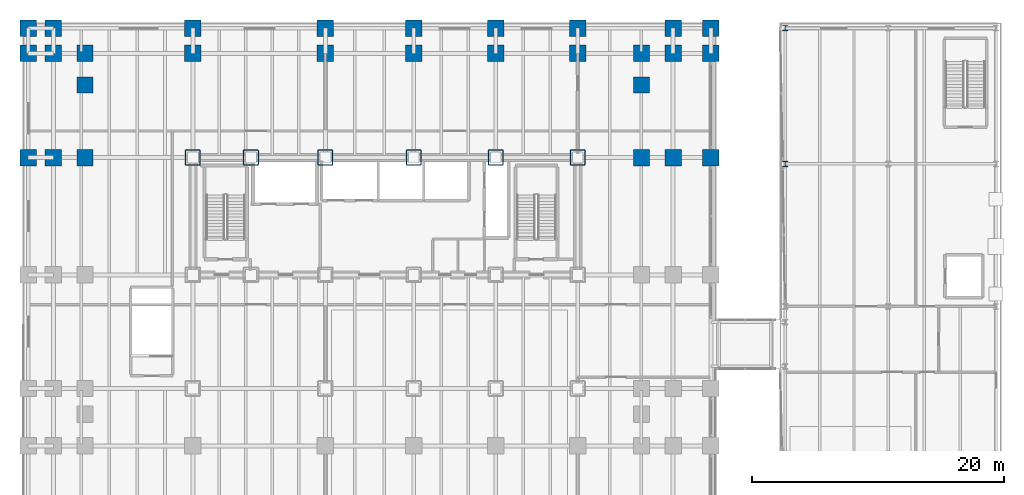
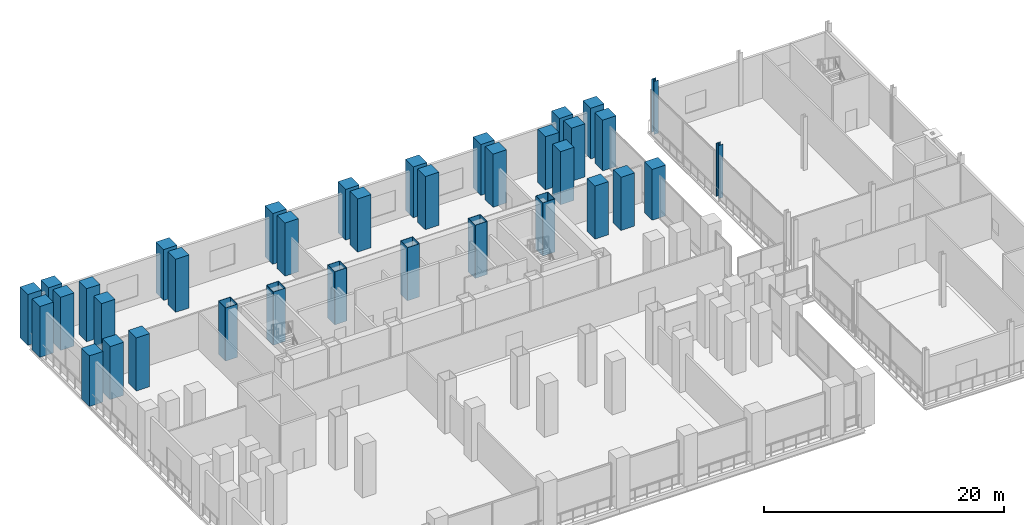
# One storey, part 2 of 30: 36 columns.
"""IFC4 building model written with IfcOpenShell, lengths in metres."""

from ifc_helpers import new_model, si_unit, direction, frame, origin, origin_2d, place, context, subcontext, project, spatial, rectangle, hollow_rectangle, i_section, extrude, material, material_profile, profile_set, type_object, element, save


model = new_model("IFC4")

# Units and contexts
model_context = context("Model", 3, precision=1e-05, world=origin(), true_north=direction((0.0, 1.0)))
body_context = subcontext(model_context, "Body", "Model", "MODEL_VIEW")
ifc_project = project(units=[si_unit("LENGTHUNIT", "METRE"), si_unit("AREAUNIT", "SQUARE_METRE"), si_unit("VOLUMEUNIT", "CUBIC_METRE"), si_unit("PLANEANGLEUNIT", "RADIAN"), si_unit("MASSUNIT", "GRAM", prefix="KILO")], contexts=[model_context])

# Site, building, storey
site_placement = place(None, origin())
site = spatial("IfcSite", under=ifc_project, at=site_placement, CompositionType="ELEMENT")
building_placement = place(site_placement, origin())
building = spatial("IfcBuilding", under=site, at=building_placement, Name="Noeulbin Bourse Tower", CompositionType="ELEMENT")
storey_placement = place(building_placement, frame((0.0, 0.0, 16.60009765625)))
storey = spatial("IfcBuildingStorey", under=building, at=storey_placement, Name="L04", CompositionType="ELEMENT", Elevation=16.60009765625)

# Columns
ifc_material_1 = material(Name="Steel S355", Category="steel")
ifc_material_profile_1 = material_profile(ifc_material_1, i_section(OverallWidth=0.406982421875, OverallDepth=0.427978515625, WebThickness=0.02001953125, FlangeThickness=0.034912109375, FilletRadius=0.02197265625, at=origin_2d()), Name="H-428x407x20x35", Category="LoadBearing")
ifc_profile_set_1 = profile_set([ifc_material_profile_1], Name="Steel S355")
column_type_1 = type_object("IfcColumnType", Name="COL-MKT-ST", PredefinedType="COLUMN", material=ifc_profile_set_1)
for number, where, z_axis, x_axis, name in (
    (1, (60.449951171875, 37.800048828125, 0.0), (0.0, 0.0, 1.0), (1.0, 0.0, 0.0), "Market Hall Column COL-MKT-ST 06"),
    (2, (60.449951171875, 48.550048828125, 0.0), (0.0, 0.0, 1.0), (1.0, 0.0, 0.0), "Market Hall Column COL-MKT-ST 07"),
):
    element("IfcColumn", number, at=place(storey_placement, frame(where, z_axis=z_axis, x_axis=x_axis)), inside=storey, type_object=column_type_1, Name=name, PredefinedType="COLUMN", context=body_context, shape_type="SweptSolid", body=[
        extrude(i_section(OverallWidth=0.406982421875, OverallDepth=0.427978515625, WebThickness=0.02001953125, FlangeThickness=0.034912109375, FilletRadius=0.02197265625, at=origin_2d()), origin(), (0.0, 0.0, 1.0), 5.39990234375),
    ])
ifc_material_2 = material(Name="Concrete C60/75", Category="concrete")
ifc_material_profile_2 = material_profile(ifc_material_2, rectangle(XDim=1.300048828125, YDim=1.300048828125, at=origin_2d()), Name="RC-COL-1300x1300", Category="LoadBearing")
ifc_profile_set_2 = profile_set([ifc_material_profile_2], Name="Concrete C60/75")
column_type_2 = type_object("IfcColumnType", Name="COL-POD-RC", PredefinedType="COLUMN", material=ifc_profile_set_2)
for number, where, z_axis, x_axis, name in (
    (3, (0.449951171875, 38.300048828125, 0.0), (0.0, 0.0, 1.0), (1.0, 0.0, 0.0), "Podium Column COL-POD-RC 05"),
    (4, (0.449951171875, 46.550048828125, 0.0), (0.0, 0.0, 1.0), (1.0, 0.0, 0.0), "Podium Column COL-POD-RC 06"),
    (5, (0.449951171875, 48.550048828125, 0.0), (0.0, 0.0, 1.0), (1.0, 0.0, 0.0), "Podium Column COL-POD-RC 07"),
):
    element("IfcColumn", number, at=place(storey_placement, frame(where, z_axis=z_axis, x_axis=x_axis)), inside=storey, type_object=column_type_2, Name=name, PredefinedType="COLUMN", context=body_context, shape_type="SweptSolid", body=[
        extrude(rectangle(XDim=1.300048828125, YDim=1.300048828125, at=origin_2d()), origin(), (0.0, 0.0, 1.0), 5.159912109375),
    ])
for number, where, z_axis, x_axis, name in (
    (6, (2.449951171875, 38.300048828125, 0.0), (0.0, 0.0, 1.0), (1.0, 0.0, 0.0), "Podium Column COL-POD-RC 12"),
    (7, (2.449951171875, 46.550048828125, 0.0), (0.0, 0.0, 1.0), (1.0, 0.0, 0.0), "Podium Column COL-POD-RC 13"),
):
    element("IfcColumn", number, at=place(storey_placement, frame(where, z_axis=z_axis, x_axis=x_axis)), inside=storey, type_object=column_type_2, Name=name, PredefinedType="COLUMN", context=body_context, shape_type="SweptSolid", body=[
        extrude(rectangle(XDim=1.300048828125, YDim=1.300048828125, at=origin_2d()), origin(), (0.0, 0.0, 1.0), 5.39990234375),
    ])
column_1_placement = place(storey_placement, frame((2.449951171875, 48.550048828125, 0.0), z_axis=(0.0, 0.0, 1.0), x_axis=(1.0, 0.0, 0.0)))
element("IfcColumn", 8, at=column_1_placement, inside=storey, type_object=column_type_2, Name="Podium Column COL-POD-RC 14", PredefinedType="COLUMN", context=body_context, shape_type="SweptSolid", body=[
    extrude(rectangle(XDim=1.300048828125, YDim=1.300048828125, at=origin_2d()), origin(), (0.0, 0.0, 1.0), 5.159912109375),
])
for number, where, z_axis, x_axis, name in (
    (9, (4.949951171875, 38.300048828125, 0.0), (0.0, 0.0, 1.0), (1.0, 0.0, 0.0), "Podium Column COL-POD-RC 19"),
    (10, (4.949951171875, 44.050048828125, 0.0), (0.0, 0.0, 1.0), (1.0, 0.0, 0.0), "Podium Column COL-POD-RC 20"),
    (11, (4.949951171875, 46.550048828125, 0.0), (0.0, 0.0, 1.0), (1.0, 0.0, 0.0), "Podium Column COL-POD-RC 21"),
    (12, (13.5, 46.550048828125, 0.0), (0.0, 0.0, 1.0), (1.0, 0.0, 0.0), "Podium Column COL-POD-RC 24"),
):
    element("IfcColumn", number, at=place(storey_placement, frame(where, z_axis=z_axis, x_axis=x_axis)), inside=storey, type_object=column_type_2, Name=name, PredefinedType="COLUMN", context=body_context, shape_type="SweptSolid", body=[
        extrude(rectangle(XDim=1.300048828125, YDim=1.300048828125, at=origin_2d()), origin(), (0.0, 0.0, 1.0), 5.39990234375),
    ])
column_2_placement = place(storey_placement, frame((13.5, 48.550048828125, 0.0), z_axis=(0.0, 0.0, 1.0), x_axis=(1.0, 0.0, 0.0)))
element("IfcColumn", 13, at=column_2_placement, inside=storey, type_object=column_type_2, Name="Podium Column COL-POD-RC 25", PredefinedType="COLUMN", context=body_context, shape_type="SweptSolid", body=[
    extrude(rectangle(XDim=1.300048828125, YDim=1.300048828125, at=origin_2d()), origin(), (0.0, 0.0, 1.0), 5.159912109375),
])
column_3_placement = place(storey_placement, frame((24.0, 46.550048828125, 0.0), z_axis=(0.0, 0.0, 1.0), x_axis=(1.0, 0.0, 0.0)))
element("IfcColumn", 14, at=column_3_placement, inside=storey, type_object=column_type_2, Name="Podium Column COL-POD-RC 28", PredefinedType="COLUMN", context=body_context, shape_type="SweptSolid", body=[
    extrude(rectangle(XDim=1.300048828125, YDim=1.300048828125, at=origin_2d()), origin(), (0.0, 0.0, 1.0), 5.39990234375),
])
column_4_placement = place(storey_placement, frame((24.0, 48.550048828125, 0.0), z_axis=(0.0, 0.0, 1.0), x_axis=(1.0, 0.0, 0.0)))
element("IfcColumn", 15, at=column_4_placement, inside=storey, type_object=column_type_2, Name="Podium Column COL-POD-RC 29", PredefinedType="COLUMN", context=body_context, shape_type="SweptSolid", body=[
    extrude(rectangle(XDim=1.300048828125, YDim=1.300048828125, at=origin_2d()), origin(), (0.0, 0.0, 1.0), 5.159912109375),
])
column_5_placement = place(storey_placement, frame((31.0, 46.550048828125, 0.0), z_axis=(0.0, 0.0, 1.0), x_axis=(1.0, 0.0, 0.0)))
element("IfcColumn", 16, at=column_5_placement, inside=storey, type_object=column_type_2, Name="Podium Column COL-POD-RC 32", PredefinedType="COLUMN", context=body_context, shape_type="SweptSolid", body=[
    extrude(rectangle(XDim=1.300048828125, YDim=1.300048828125, at=origin_2d()), origin(), (0.0, 0.0, 1.0), 5.39990234375),
])
column_6_placement = place(storey_placement, frame((31.0, 48.550048828125, 0.0), z_axis=(0.0, 0.0, 1.0), x_axis=(1.0, 0.0, 0.0)))
element("IfcColumn", 17, at=column_6_placement, inside=storey, type_object=column_type_2, Name="Podium Column COL-POD-RC 33", PredefinedType="COLUMN", context=body_context, shape_type="SweptSolid", body=[
    extrude(rectangle(XDim=1.300048828125, YDim=1.300048828125, at=origin_2d()), origin(), (0.0, 0.0, 1.0), 5.159912109375),
])
column_7_placement = place(storey_placement, frame((37.5, 46.550048828125, 0.0), z_axis=(0.0, 0.0, 1.0), x_axis=(1.0, 0.0, 0.0)))
element("IfcColumn", 18, at=column_7_placement, inside=storey, type_object=column_type_2, Name="Podium Column COL-POD-RC 36", PredefinedType="COLUMN", context=body_context, shape_type="SweptSolid", body=[
    extrude(rectangle(XDim=1.300048828125, YDim=1.300048828125, at=origin_2d()), origin(), (0.0, 0.0, 1.0), 5.39990234375),
])
column_8_placement = place(storey_placement, frame((37.5, 48.550048828125, 0.0), z_axis=(0.0, 0.0, 1.0), x_axis=(1.0, 0.0, 0.0)))
element("IfcColumn", 19, at=column_8_placement, inside=storey, type_object=column_type_2, Name="Podium Column COL-POD-RC 37", PredefinedType="COLUMN", context=body_context, shape_type="SweptSolid", body=[
    extrude(rectangle(XDim=1.300048828125, YDim=1.300048828125, at=origin_2d()), origin(), (0.0, 0.0, 1.0), 5.159912109375),
])
column_9_placement = place(storey_placement, frame((44.0, 46.550048828125, 0.0), z_axis=(0.0, 0.0, 1.0), x_axis=(1.0, 0.0, 0.0)))
element("IfcColumn", 20, at=column_9_placement, inside=storey, type_object=column_type_2, Name="Podium Column COL-POD-RC 40", PredefinedType="COLUMN", context=body_context, shape_type="SweptSolid", body=[
    extrude(rectangle(XDim=1.300048828125, YDim=1.300048828125, at=origin_2d()), origin(), (0.0, 0.0, 1.0), 5.39990234375),
])
column_10_placement = place(storey_placement, frame((44.0, 48.550048828125, 0.0), z_axis=(0.0, 0.0, 1.0), x_axis=(1.0, 0.0, 0.0)))
element("IfcColumn", 21, at=column_10_placement, inside=storey, type_object=column_type_2, Name="Podium Column COL-POD-RC 41", PredefinedType="COLUMN", context=body_context, shape_type="SweptSolid", body=[
    extrude(rectangle(XDim=1.300048828125, YDim=1.300048828125, at=origin_2d()), origin(), (0.0, 0.0, 1.0), 5.159912109375),
])
for number, where, z_axis, x_axis, name in (
    (22, (49.050048828125, 38.300048828125, 0.0), (0.0, 0.0, 1.0), (1.0, 0.0, 0.0), "Podium Column COL-POD-RC 46"),
    (23, (49.050048828125, 44.050048828125, 0.0), (0.0, 0.0, 1.0), (1.0, 0.0, 0.0), "Podium Column COL-POD-RC 47"),
    (24, (49.050048828125, 46.550048828125, 0.0), (0.0, 0.0, 1.0), (1.0, 0.0, 0.0), "Podium Column COL-POD-RC 48"),
    (25, (51.550048828125, 38.300048828125, 0.0), (0.0, 0.0, 1.0), (1.0, 0.0, 0.0), "Podium Column COL-POD-RC 53"),
    (26, (51.550048828125, 46.550048828125, 0.0), (0.0, 0.0, 1.0), (1.0, 0.0, 0.0), "Podium Column COL-POD-RC 54"),
):
    element("IfcColumn", number, at=place(storey_placement, frame(where, z_axis=z_axis, x_axis=x_axis)), inside=storey, type_object=column_type_2, Name=name, PredefinedType="COLUMN", context=body_context, shape_type="SweptSolid", body=[
        extrude(rectangle(XDim=1.300048828125, YDim=1.300048828125, at=origin_2d()), origin(), (0.0, 0.0, 1.0), 5.39990234375),
    ])
for number, where, z_axis, x_axis, name in (
    (27, (51.550048828125, 48.550048828125, 0.0), (0.0, 0.0, 1.0), (1.0, 0.0, 0.0), "Podium Column COL-POD-RC 55"),
    (28, (54.550048828125, 38.300048828125, 0.0), (0.0, 0.0, 1.0), (1.0, 0.0, 0.0), "Podium Column COL-POD-RC 60"),
    (29, (54.550048828125, 46.550048828125, 0.0), (0.0, 0.0, 1.0), (1.0, 0.0, 0.0), "Podium Column COL-POD-RC 61"),
    (30, (54.550048828125, 48.550048828125, 0.0), (0.0, 0.0, 1.0), (1.0, 0.0, 0.0), "Podium Column COL-POD-RC 62"),
):
    element("IfcColumn", number, at=place(storey_placement, frame(where, z_axis=z_axis, x_axis=x_axis)), inside=storey, type_object=column_type_2, Name=name, PredefinedType="COLUMN", context=body_context, shape_type="SweptSolid", body=[
        extrude(rectangle(XDim=1.300048828125, YDim=1.300048828125, at=origin_2d()), origin(), (0.0, 0.0, 1.0), 5.159912109375),
    ])
ifc_material_3 = material(Name="Steel S460", Category="steel")
ifc_material_profile_3 = material_profile(ifc_material_3, hollow_rectangle(XDim=1.199951171875, YDim=1.199951171875, WallThickness=0.0400390625, InnerFilletRadius=0.02001953125, OuterFilletRadius=0.06005859375, at=origin_2d()), Name="BOX-1200x1200x40", Category="LoadBearing")
ifc_profile_set_3 = profile_set([ifc_material_profile_3], Name="Steel S460")
column_type_3 = type_object("IfcColumnType", Name="COL-TRK-Z0", PredefinedType="COLUMN", material=ifc_profile_set_3)
for number, where, z_axis, x_axis, name in (
    (31, (13.5, 38.300048828125, 0.0), (0.0, 0.0, 1.0), (1.0, 0.0, 0.0), "Tower Trunk Mega-Column COL-TRK-Z0 02"),
    (32, (18.10009765625, 38.300048828125, 0.0), (0.0, 0.0, 1.0), (1.0, 0.0, 0.0), "Tower Trunk Mega-Column COL-TRK-Z0 04"),
    (33, (24.0, 38.300048828125, 0.0), (0.0, 0.0, 1.0), (1.0, 0.0, 0.0), "Tower Trunk Mega-Column COL-TRK-Z0 06"),
    (34, (31.0, 38.300048828125, 0.0), (0.0, 0.0, 1.0), (1.0, 0.0, 0.0), "Tower Trunk Mega-Column COL-TRK-Z0 08"),
    (35, (37.5, 38.300048828125, 0.0), (0.0, 0.0, 1.0), (1.0, 0.0, 0.0), "Tower Trunk Mega-Column COL-TRK-Z0 10"),
    (36, (44.0, 38.300048828125, 0.0), (0.0, 0.0, 1.0), (1.0, 0.0, 0.0), "Tower Trunk Mega-Column COL-TRK-Z0 12"),
):
    element("IfcColumn", number, at=place(storey_placement, frame(where, z_axis=z_axis, x_axis=x_axis)), inside=storey, type_object=column_type_3, Name=name, PredefinedType="COLUMN", context=body_context, shape_type="SweptSolid", body=[
        extrude(hollow_rectangle(XDim=1.199951171875, YDim=1.199951171875, WallThickness=0.0400390625, InnerFilletRadius=0.02001953125, OuterFilletRadius=0.06005859375, at=origin_2d()), origin(), (0.0, 0.0, 1.0), 5.39990234375),
    ])

save(model, "model.ifc")
